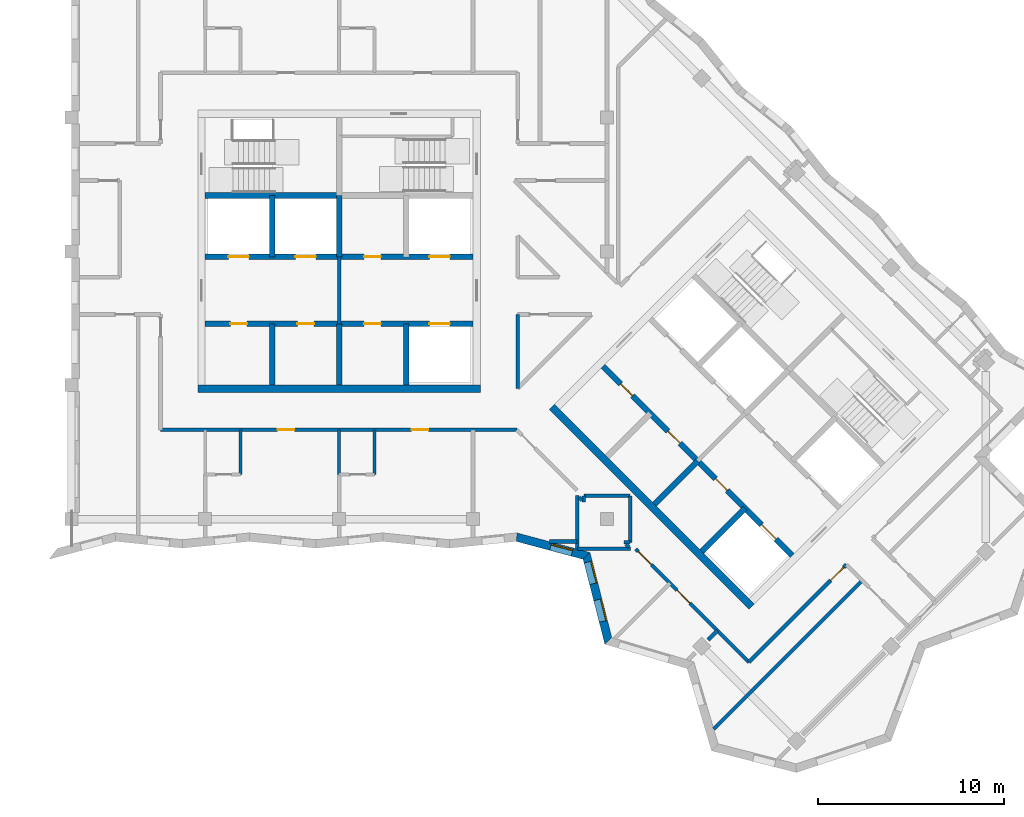
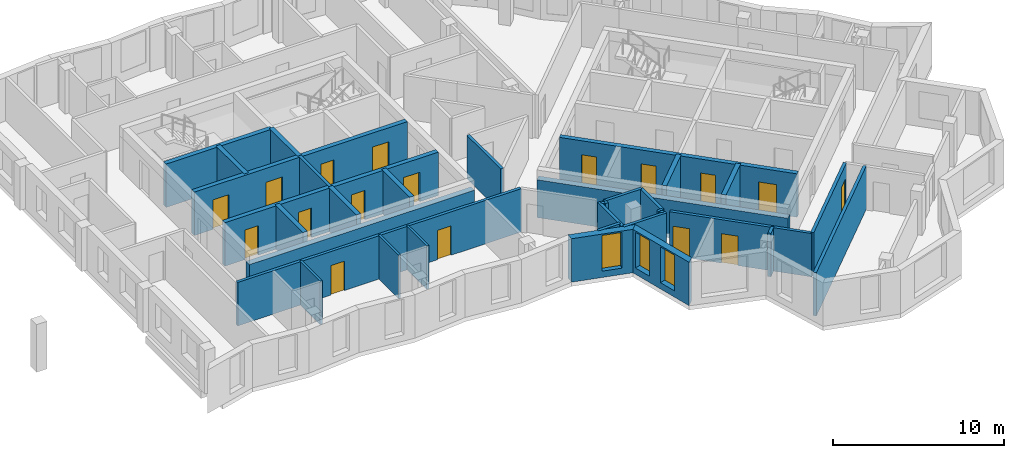
# One storey, part 3 of 12: 34 walls, 17 doors, 3 windows, 20 openings.
"""IFC4 building model written with IfcOpenShell, lengths in metres."""

from ifc_helpers import new_model, si_unit, direction, frame, frame_2d, origin, place, context, subcontext, project, spatial, polyline, rectangle, outline, extrude, material, layer, layer_set, type_object, element, fill, save


model = new_model("IFC4")

# Units and contexts
model_context = context("Model", 3, precision=1e-05, world=origin(), true_north=direction((0.0, 1.0)))
body_context = subcontext(model_context, "Body", "Model", "MODEL_VIEW")
ifc_project = project(units=[si_unit("LENGTHUNIT", "METRE"), si_unit("AREAUNIT", "SQUARE_METRE"), si_unit("VOLUMEUNIT", "CUBIC_METRE"), si_unit("PLANEANGLEUNIT", "RADIAN"), si_unit("MASSUNIT", "GRAM", prefix="KILO")], contexts=[model_context])

# Site, building, storey
site_placement = place(None, origin())
site = spatial("IfcSite", under=ifc_project, at=site_placement, CompositionType="ELEMENT")
building_placement = place(site_placement, origin())
building = spatial("IfcBuilding", under=site, at=building_placement, Name="Windrow Commons", CompositionType="ELEMENT")
storey_placement = place(building_placement, frame((0.0, 0.0, 250.6)))
storey = spatial("IfcBuildingStorey", under=building, at=storey_placement, Name="L68", CompositionType="ELEMENT", Elevation=250.6)

# Wall, opening, window
ifc_material_1 = material(Name="Brick masonry, red clay brick", Category="masonry")
ifc_layer_1 = layer(ifc_material_1, 0.45)
ifc_layer_set_1 = layer_set([ifc_layer_1], Name="Brick facade wall 450")
wall_type_1 = type_object("IfcWallType", Name="Brick facade wall 450", PredefinedType="SOLIDWALL", material=ifc_layer_set_1)
wall_1_placement = place(storey_placement, frame((74.3457, 42.228, 0.0), z_axis=(0.0, 0.0, 1.0), x_axis=(0.9659805223, -0.2586148306, 0.0)))
wall_1 = element("IfcWall", 1, at=wall_1_placement, inside=storey, type_object=wall_type_1, Name="Brick facade wall L68 45", PredefinedType="SOLIDWALL", context=body_context, shape_type="SweptSolid", body=[
    extrude(outline(polyline([(0.0412, -0.225), (3.7572, -0.225), (4.0204, 0.225), (-0.0412, 0.225), (0.0412, -0.225)])), origin(), (0.0, 0.0, 1.0), 3.1),
])
opening_1_placement = place(wall_1_placement, frame((1.8936, 0.0, 0.45)))
opening_1 = element("IfcOpeningElement", 2, at=opening_1_placement, cuts=wall_1, Name="Opening W7F", PredefinedType="OPENING", context=body_context, shape_type="SweptSolid", body=[
    extrude(rectangle(XDim=1.2, YDim=2.55, at=frame_2d((0.6, 1.275))), frame((0.0, 0.235, 0.0), z_axis=(0.0, -1.0, 0.0), x_axis=(1.0, 0.0, 0.0)), (0.0, 0.0, 1.0), 0.47),
])
ifc_material_2 = material(Name="Clear float glass in anodised aluminium frame", Category="aluminium")
window_type = type_object("IfcWindowType", Name="Window W7 notch 1200x2550", PartitioningType="SINGLE_PANEL", PredefinedType="WINDOW", material=ifc_material_2)
window_1_placement = place(opening_1_placement, origin())
window_1 = element("IfcWindow", 3, at=window_1_placement, inside=storey, type_object=window_type, Name="Window L68 45.1", OverallHeight=2.55, OverallWidth=1.2, PartitioningType="SINGLE_PANEL", PredefinedType="WINDOW", context=body_context, shape_type="SweptSolid", body=[
    extrude(rectangle(XDim=1.2, YDim=2.55, at=frame_2d((0.6, 1.275))), frame((0.0, 0.135, 0.0), z_axis=(0.0, -1.0, 0.0), x_axis=(1.0, 0.0, 0.0)), (0.0, 0.0, 1.0), 0.06),
])
fill(opening_1, window_1)

# Wall, openings, windows
wall_2_placement = place(storey_placement, frame((78.1022, 41.2223, 0.0), z_axis=(0.0, 0.0, 1.0), x_axis=(0.2482207273, -0.9687034998, 0.0)))
wall_2 = element("IfcWall", 4, at=wall_2_placement, inside=storey, type_object=wall_type_1, Name="Brick facade wall L68 46", PredefinedType="SOLIDWALL", context=body_context, shape_type="SweptSolid", body=[
    extrude(outline(polyline([(0.1316, -0.225), (4.8424, -0.225), (4.5872, 0.225), (-0.1316, 0.225), (0.1316, -0.225)])), origin(), (0.0, 0.0, 1.0), 3.1),
])
opening_2_placement = place(wall_2_placement, frame((0.3374, 0.0, 0.45)))
opening_2 = element("IfcOpeningElement", 5, at=opening_2_placement, cuts=wall_2, Name="Opening W7F", PredefinedType="OPENING", context=body_context, shape_type="SweptSolid", body=[
    extrude(rectangle(XDim=1.2, YDim=2.55, at=frame_2d((0.6, 1.275))), frame((0.0, 0.235, 0.0), z_axis=(0.0, -1.0, 0.0), x_axis=(1.0, 0.0, 0.0)), (0.0, 0.0, 1.0), 0.47),
])
opening_3_placement = place(wall_2_placement, frame((2.431, 0.0, 0.45)))
opening_3 = element("IfcOpeningElement", 6, at=opening_3_placement, cuts=wall_2, Name="Opening W7F", PredefinedType="OPENING", context=body_context, shape_type="SweptSolid", body=[
    extrude(rectangle(XDim=1.2, YDim=2.55, at=frame_2d((0.6, 1.275))), frame((0.0, 0.235, 0.0), z_axis=(0.0, -1.0, 0.0), x_axis=(1.0, 0.0, 0.0)), (0.0, 0.0, 1.0), 0.47),
])
window_2_placement = place(opening_2_placement, origin())
window_2 = element("IfcWindow", 7, at=window_2_placement, inside=storey, type_object=window_type, Name="Window L68 46.1", OverallHeight=2.55, OverallWidth=1.2, PartitioningType="SINGLE_PANEL", PredefinedType="WINDOW", context=body_context, shape_type="SweptSolid", body=[
    extrude(rectangle(XDim=1.2, YDim=2.55, at=frame_2d((0.6, 1.275))), frame((0.0, 0.205, 0.0), z_axis=(0.0, -1.0, 0.0), x_axis=(1.0, 0.0, 0.0)), (0.0, 0.0, 1.0), 0.06),
])
fill(opening_2, window_2)
window_3_placement = place(opening_3_placement, origin())
window_3 = element("IfcWindow", 8, at=window_3_placement, inside=storey, type_object=window_type, Name="Window L68 46.2", OverallHeight=2.55, OverallWidth=1.2, PartitioningType="SINGLE_PANEL", PredefinedType="WINDOW", context=body_context, shape_type="SweptSolid", body=[
    extrude(rectangle(XDim=1.2, YDim=2.55, at=frame_2d((0.6, 1.275))), frame((0.0, 0.205, 0.0), z_axis=(0.0, -1.0, 0.0), x_axis=(1.0, 0.0, 0.0)), (0.0, 0.0, 1.0), 0.06),
])
fill(opening_3, window_3)

# Wall
ifc_material_3 = material(Name="Blockwork partition", Category="masonry")
ifc_layer_2 = layer(ifc_material_3, 0.2)
ifc_layer_set_2 = layer_set([ifc_layer_2], Name="Fire lobby partition 200")
wall_type_2 = type_object("IfcWallType", Name="Fire lobby partition 200", PredefinedType="PARTITIONING", material=ifc_layer_set_2)
wall_3_placement = place(storey_placement, frame((64.8, 53.7, 0.0), z_axis=(0.0, 0.0, 1.0), x_axis=(0.0, 1.0, 0.0)))
element("IfcWall", 9, at=wall_3_placement, inside=storey, type_object=wall_type_2, Name="W-core-lobby-A-L68", PredefinedType="PARTITIONING", context=body_context, shape_type="SweptSolid", body=[
    extrude(rectangle(XDim=3.6, YDim=0.2, at=frame_2d((1.8, 0.0))), origin(), (0.0, 0.0, 1.0), 3.1),
])

# Wall, openings, doors
ifc_material_4 = material(Name="Blockwork partition", Category="masonry")
ifc_layer_3 = layer(ifc_material_4, 0.2)
ifc_layer_set_3 = layer_set([ifc_layer_3], Name="IW-CORRIDOR-200")
wall_type_3 = type_object("IfcWallType", Name="IW-CORRIDOR-200", PredefinedType="PARTITIONING", material=ifc_layer_set_3)
wall_4_placement = place(storey_placement, frame((55.2, 48.0, 0.0), z_axis=(0.0, 0.0, 1.0), x_axis=(1.0, 0.0, 0.0)))
wall_4 = element("IfcWall", 10, at=wall_4_placement, inside=storey, type_object=wall_type_3, Name="W-L68-W001", PredefinedType="PARTITIONING", context=body_context, shape_type="SweptSolid", body=[
    extrude(rectangle(XDim=19.15, YDim=0.2, at=frame_2d((9.575, 0.0))), origin(), (0.0, 0.0, 1.0), 3.1),
])
opening_4_placement = place(wall_4_placement, frame((6.2994, 0.0, 0.0)))
opening_4 = element("IfcOpeningElement", 11, at=opening_4_placement, cuts=wall_4, Name="Opening D109F", PredefinedType="OPENING", context=body_context, shape_type="SweptSolid", body=[
    extrude(rectangle(XDim=0.9, YDim=2.1, at=frame_2d((0.45, 1.05))), frame((0.0, 0.11, 0.0), z_axis=(0.0, -1.0, 0.0), x_axis=(1.0, 0.0, 0.0)), (0.0, 0.0, 1.0), 0.22),
])
opening_5_placement = place(wall_4_placement, frame((13.4994, 0.0, 0.0)))
opening_5 = element("IfcOpeningElement", 12, at=opening_5_placement, cuts=wall_4, Name="Opening D109F", PredefinedType="OPENING", context=body_context, shape_type="SweptSolid", body=[
    extrude(rectangle(XDim=0.9, YDim=2.1, at=frame_2d((0.45, 1.05))), frame((0.0, 0.11, 0.0), z_axis=(0.0, -1.0, 0.0), x_axis=(1.0, 0.0, 0.0)), (0.0, 0.0, 1.0), 0.22),
])
ifc_material_5 = material(Name="Timber door leaf", Category="wood")
door_type_1 = type_object("IfcDoorType", Name="DT-BEDROOM-900", OperationType="SINGLE_SWING_LEFT", PredefinedType="DOOR", material=ifc_material_5)
door_1_placement = place(opening_4_placement, origin())
door_1 = element("IfcDoor", 13, at=door_1_placement, inside=storey, type_object=door_type_1, Name="D-L68-D002", OperationType="SINGLE_SWING_LEFT", OverallHeight=2.1, OverallWidth=0.9, PredefinedType="DOOR", context=body_context, shape_type="SweptSolid", body=[
    extrude(rectangle(XDim=0.9, YDim=2.1, at=frame_2d((0.45, 1.05))), frame((0.0, 0.025, 0.0), z_axis=(0.0, -1.0, 0.0), x_axis=(1.0, 0.0, 0.0)), (0.0, 0.0, 1.0), 0.05),
])
fill(opening_4, door_1)
door_2_placement = place(opening_5_placement, origin())
door_2 = element("IfcDoor", 14, at=door_2_placement, inside=storey, type_object=door_type_1, Name="D-L68-D004", OperationType="SINGLE_SWING_LEFT", OverallHeight=2.1, OverallWidth=0.9, PredefinedType="DOOR", context=body_context, shape_type="SweptSolid", body=[
    extrude(rectangle(XDim=0.9, YDim=2.1, at=frame_2d((0.45, 1.05))), frame((0.0, 0.025, 0.0), z_axis=(0.0, -1.0, 0.0), x_axis=(1.0, 0.0, 0.0)), (0.0, 0.0, 1.0), 0.05),
])
fill(opening_5, door_2)

wall_5_placement = place(storey_placement, frame((80.7468, 41.5968, 0.0), z_axis=(0.0, 0.0, 1.0), x_axis=(0.7071067812, -0.7071067812, 0.0)))
wall_5 = element("IfcWall", 15, at=wall_5_placement, inside=storey, type_object=wall_type_3, Name="W-L68-W009", PredefinedType="PARTITIONING", context=body_context, shape_type="SweptSolid", body=[
    extrude(rectangle(XDim=8.6069, YDim=0.2, at=frame_2d((4.3034, 0.0))), origin(), (0.0, 0.0, 1.0), 3.1),
])
opening_6_placement = place(wall_5_placement, frame((0.1948, 0.0, 0.0)))
opening_6 = element("IfcOpeningElement", 16, at=opening_6_placement, cuts=wall_5, Name="Opening D310F", PredefinedType="OPENING", context=body_context, shape_type="SweptSolid", body=[
    extrude(rectangle(XDim=1.0, YDim=2.1, at=frame_2d((0.5, 1.05))), frame((0.0, 0.11, 0.0), z_axis=(0.0, -1.0, 0.0), x_axis=(1.0, 0.0, 0.0)), (0.0, 0.0, 1.0), 0.22),
])
opening_7_placement = place(wall_5_placement, frame((3.1329, 0.0, 0.0)))
opening_7 = element("IfcOpeningElement", 17, at=opening_7_placement, cuts=wall_5, Name="Opening D410F", PredefinedType="OPENING", context=body_context, shape_type="SweptSolid", body=[
    extrude(rectangle(XDim=1.0, YDim=2.1, at=frame_2d((0.5, 1.05))), frame((0.0, 0.11, 0.0), z_axis=(0.0, -1.0, 0.0), x_axis=(1.0, 0.0, 0.0)), (0.0, 0.0, 1.0), 0.22),
])
ifc_material_6 = material(Name="Timber door leaf", Category="wood")
door_type_2 = type_object("IfcDoorType", Name="DT-AMENITY-1000", OperationType="SINGLE_SWING_LEFT", PredefinedType="DOOR", material=ifc_material_6)
door_3_placement = place(opening_6_placement, origin())
door_3 = element("IfcDoor", 18, at=door_3_placement, inside=storey, type_object=door_type_2, Name="D-L68-D022", OperationType="SINGLE_SWING_LEFT", OverallHeight=2.1, OverallWidth=1.0, PredefinedType="DOOR", context=body_context, shape_type="SweptSolid", body=[
    extrude(rectangle(XDim=1.0, YDim=2.1, at=frame_2d((0.5, 1.05))), frame((0.0, 0.025, 0.0), z_axis=(0.0, -1.0, 0.0), x_axis=(1.0, 0.0, 0.0)), (0.0, 0.0, 1.0), 0.05),
])
fill(opening_6, door_3)
ifc_material_7 = material(Name="Timber door leaf", Category="wood")
door_type_3 = type_object("IfcDoorType", Name="DT-SERVICE-1000", OperationType="SINGLE_SWING_LEFT", PredefinedType="DOOR", material=ifc_material_7)
door_4_placement = place(opening_7_placement, origin())
door_4 = element("IfcDoor", 19, at=door_4_placement, inside=storey, type_object=door_type_3, Name="D-L68-D023", OperationType="SINGLE_SWING_LEFT", OverallHeight=2.1, OverallWidth=1.0, PredefinedType="DOOR", context=body_context, shape_type="SweptSolid", body=[
    extrude(rectangle(XDim=1.0, YDim=2.1, at=frame_2d((0.5, 1.05))), frame((0.0, 0.025, 0.0), z_axis=(0.0, -1.0, 0.0), x_axis=(1.0, 0.0, 0.0)), (0.0, 0.0, 1.0), 0.05),
])
fill(opening_7, door_4)

# Wall, opening, door
wall_6_placement = place(storey_placement, frame((86.8359, 35.5141, 0.0), z_axis=(0.0, 0.0, 1.0), x_axis=(0.7071067812, 0.7071067812, 0.0)))
wall_6 = element("IfcWall", 20, at=wall_6_placement, inside=storey, type_object=wall_type_3, Name="W-L68-W010", PredefinedType="PARTITIONING", context=body_context, shape_type="SweptSolid", body=[
    extrude(rectangle(XDim=7.3992, YDim=0.2, at=frame_2d((3.6996, 0.0))), origin(), (0.0, 0.0, 1.0), 3.1),
])
opening_8_placement = place(wall_6_placement, frame((6.2065, 0.0, 0.0)))
opening_8 = element("IfcOpeningElement", 21, at=opening_8_placement, cuts=wall_6, Name="Opening D310F", PredefinedType="OPENING", context=body_context, shape_type="SweptSolid", body=[
    extrude(rectangle(XDim=1.0, YDim=2.1, at=frame_2d((0.5, 1.05))), frame((0.0, 0.11, 0.0), z_axis=(0.0, -1.0, 0.0), x_axis=(1.0, 0.0, 0.0)), (0.0, 0.0, 1.0), 0.22),
])
door_5_placement = place(opening_8_placement, origin())
door_5 = element("IfcDoor", 22, at=door_5_placement, inside=storey, type_object=door_type_2, Name="D-L68-D024", OperationType="SINGLE_SWING_RIGHT", OverallHeight=2.1, OverallWidth=1.0, PredefinedType="DOOR", context=body_context, shape_type="SweptSolid", body=[
    extrude(rectangle(XDim=1.0, YDim=2.1, at=frame_2d((0.5, 1.05))), frame((0.0, 0.025, 0.0), z_axis=(0.0, -1.0, 0.0), x_axis=(1.0, 0.0, 0.0)), (0.0, 0.0, 1.0), 0.05),
])
fill(opening_8, door_5)

# Walls
wall_7_placement = place(storey_placement, frame((74.4, 50.232, 0.0), z_axis=(0.0, 0.0, 1.0), x_axis=(0.0, 1.0, 0.0)))
element("IfcWall", 23, at=wall_7_placement, inside=storey, type_object=wall_type_3, Name="W-L68-W031", PredefinedType="PARTITIONING", context=body_context, shape_type="SweptSolid", body=[
    extrude(rectangle(XDim=3.968, YDim=0.2, at=frame_2d((1.984, 0.0))), origin(), (0.0, 0.0, 1.0), 3.1),
])
for number, where, z_axis, x_axis, name in (
    (24, (80.45, 41.952, 0.0), (0.0, 0.0, 1.0), (0.0, 1.0, 0.0), "W-L68-W043"),
    (25, (77.952, 44.45, 0.0), (0.0, 0.0, 1.0), (1.0, 0.0, 0.0), "W-L68-W044"),
):
    element("IfcWall", number, at=place(storey_placement, frame(where, z_axis=z_axis, x_axis=x_axis)), inside=storey, type_object=wall_type_3, Name=name, PredefinedType="PARTITIONING", context=body_context, shape_type="SweptSolid", body=[
        extrude(rectangle(XDim=2.498, YDim=0.2, at=frame_2d((1.249, 0.0))), origin(), (0.0, 0.0, 1.0), 3.1),
    ])
for number, where, z_axis, x_axis, name in (
    (26, (80.2205, 41.8545, 0.0), (0.0, 0.0, 1.0), (0.7068844555, -0.707329037, 0.0), "W-L68-W097"),
    (27, (77.6954, 44.3795, 0.0), (0.0, 0.0, 1.0), (0.707329037, -0.7068844555, 0.0), "W-L68-W098"),
):
    element("IfcWall", number, at=place(storey_placement, frame(where, z_axis=z_axis, x_axis=x_axis)), inside=storey, type_object=wall_type_3, Name=name, PredefinedType="PARTITIONING", context=body_context, shape_type="SweptSolid", body=[
        extrude(rectangle(XDim=0.2249, YDim=0.2, at=frame_2d((0.1124, 0.0))), origin(), (0.0, 0.0, 1.0), 3.1),
    ])
for number, where, z_axis, x_axis, name in (
    (28, (80.118, 41.95, 0.0), (0.0, 0.0, 1.0), (1.0, 0.0, 0.0), "W-L68-W110"),
    (29, (77.95, 44.118, 0.0), (0.0, 0.0, 1.0), (0.0, 1.0, 0.0), "W-L68-W111"),
):
    element("IfcWall", number, at=place(storey_placement, frame(where, z_axis=z_axis, x_axis=x_axis)), inside=storey, type_object=wall_type_3, Name=name, PredefinedType="PARTITIONING", context=body_context, shape_type="SweptSolid", body=[
        extrude(rectangle(XDim=0.332, YDim=0.2, at=frame_2d((0.166, 0.0))), origin(), (0.0, 0.0, 1.0), 3.1),
    ])
ifc_material_8 = material(Name="Blockwork partition", Category="masonry")
ifc_layer_4 = layer(ifc_material_8, 0.15)
ifc_layer_set_4 = layer_set([ifc_layer_4], Name="IW-ENSUITE-150")
wall_type_4 = type_object("IfcWallType", Name="IW-ENSUITE-150", PredefinedType="PARTITIONING", material=ifc_layer_set_4)
for number, where, z_axis, x_axis, name in (
    (30, (59.5, 45.6, 0.0), (0.0, 0.0, 1.0), (0.0, 1.0, 0.0), "W-L68-W045"),
    (31, (66.7, 45.6, 0.0), (0.0, 0.0, 1.0), (0.0, 1.0, 0.0), "W-L68-W047"),
    (32, (64.8, 45.6, 0.0), (0.0, 0.0, 1.0), (0.0, 1.0, 0.0), "W-L68-W048"),
):
    element("IfcWall", number, at=place(storey_placement, frame(where, z_axis=z_axis, x_axis=x_axis)), inside=storey, type_object=wall_type_4, Name=name, PredefinedType="PARTITIONING", context=body_context, shape_type="SweptSolid", body=[
        extrude(rectangle(XDim=2.4, YDim=0.15, at=frame_2d((1.2, 0.0))), origin(), (0.0, 0.0, 1.0), 3.1),
    ])
ifc_material_9 = material(Name="Blockwork partition", Category="masonry")
ifc_layer_5 = layer(ifc_material_9, 0.2)
ifc_layer_set_5 = layer_set([ifc_layer_5], Name="IW-PARTY-200")
wall_type_5 = type_object("IfcWallType", Name="IW-PARTY-200", PredefinedType="PARTITIONING", material=ifc_layer_set_5)
wall_8_placement = place(storey_placement, frame((84.9392, 31.9204, 0.0), z_axis=(0.0, 0.0, 1.0), x_axis=(0.7071067812, 0.7071067812, 0.0)))
element("IfcWall", 33, at=wall_8_placement, inside=storey, type_object=wall_type_5, Name="W-L68-W004", PredefinedType="PARTITIONING", context=body_context, shape_type="SweptSolid", body=[
    extrude(rectangle(XDim=11.2829, YDim=0.2, at=frame_2d((5.6414, 0.0))), origin(), (0.0, 0.0, 1.0), 3.1),
])
wall_9_placement = place(storey_placement, frame((77.6115, 41.6, 0.0), z_axis=(0.0, 0.0, 1.0), x_axis=(1.0, 0.0, 0.0)))
element("IfcWall", 34, at=wall_9_placement, inside=storey, type_object=wall_type_5, Name="W-L68-W040", PredefinedType="PARTITIONING", context=body_context, shape_type="SweptSolid", body=[
    extrude(rectangle(XDim=2.8565, YDim=0.2, at=frame_2d((1.4283, 0.0))), origin(), (0.0, 0.0, 1.0), 3.1),
])
wall_10_placement = place(storey_placement, frame((77.6, 41.5897, 0.0), z_axis=(0.0, 0.0, 1.0), x_axis=(0.0, 1.0, 0.0)))
element("IfcWall", 35, at=wall_10_placement, inside=storey, type_object=wall_type_5, Name="W-L68-W041", PredefinedType="PARTITIONING", context=body_context, shape_type="SweptSolid", body=[
    extrude(rectangle(XDim=2.8783, YDim=0.2, at=frame_2d((1.4391, 0.0))), origin(), (0.0, 0.0, 1.0), 3.1),
])
wall_11_placement = place(storey_placement, frame((76.1174, 42.0, 0.0), z_axis=(0.0, 0.0, 1.0), x_axis=(1.0, 0.0, 0.0)))
element("IfcWall", 36, at=wall_11_placement, inside=storey, type_object=wall_type_5, Name="W-L68-W079", PredefinedType="PARTITIONING", context=body_context, shape_type="SweptSolid", body=[
    extrude(rectangle(XDim=1.4826, YDim=0.2, at=frame_2d((0.7413, 0.0))), origin(), (0.0, 0.0, 1.0), 3.1),
])
wall_12_placement = place(storey_placement, frame((84.6408, 36.7132, 0.0), z_axis=(0.0, 0.0, 1.0), x_axis=(0.7071067812, 0.7071067812, 0.0)))
element("IfcWall", 37, at=wall_12_placement, inside=storey, type_object=wall_type_5, Name="W-L68-W088", PredefinedType="PARTITIONING", context=body_context, shape_type="SweptSolid", body=[
    extrude(rectangle(XDim=0.7043, YDim=0.2, at=frame_2d((0.3522, 0.0))), origin(), (0.0, 0.0, 1.0), 3.1),
])
ifc_material_10 = material(Name="Concrete C40/50", Category="concrete")
ifc_layer_6 = layer(ifc_material_10, 0.4)
ifc_layer_set_6 = layer_set([ifc_layer_6], Name="RC CORE WALL 400 C40/50")
wall_type_6 = type_object("IfcWallType", Name="RC CORE WALL 400 C40/50", PredefinedType="SHEAR", material=ifc_layer_set_6)
for number, where, z_axis, x_axis, name in (
    (38, (57.2, 50.2, -0.3), (0.0, 0.0, 1.0), (1.0, 0.0, 0.0), "Core A wall outer-S"),
    (39, (76.2302, 49.2312, -0.3), (0.0, 0.0, 1.0), (0.7071034917, -0.7071100706, 0.0), "Core B wall outer-S"),
):
    element("IfcWall", number, at=place(storey_placement, frame(where, z_axis=z_axis, x_axis=x_axis)), inside=storey, type_object=wall_type_6, Name=name, PredefinedType="SHEAR", context=body_context, shape_type="SweptSolid", body=[
        extrude(rectangle(XDim=15.2, YDim=0.4, at=frame_2d((7.6, 0.0))), origin(), (0.0, 0.0, 1.0), 2.7),
    ])
ifc_material_11 = material(Name="Concrete C40/50", Category="concrete")
ifc_layer_7 = layer(ifc_material_11, 0.3)
ifc_layer_set_7 = layer_set([ifc_layer_7], Name="RC SHAFT WALL 300 C40/50")
wall_type_7 = type_object("IfcWallType", Name="RC SHAFT WALL 300 C40/50", PredefinedType="SOLIDWALL", material=ifc_layer_set_7)
for number, where, z_axis, x_axis, name in (
    (40, (61.2, 50.4, 0.0), (0.0, 0.0, 1.0), (0.0, 1.0, 0.0), "Core A wall shaft-S1"),
    (41, (61.2, 57.3, 0.0), (0.0, 0.0, 1.0), (0.0, 1.0, 0.0), "Core A wall shaft-N1"),
    (42, (64.8, 50.4, 0.0), (0.0, 0.0, 1.0), (0.0, 1.0, 0.0), "Core A wall shaft-S2"),
    (43, (64.8, 57.3, 0.0), (0.0, 0.0, 1.0), (0.0, 1.0, 0.0), "Core A wall shaft-N2"),
    (44, (68.4, 50.4, 0.0), (0.0, 0.0, 1.0), (0.0, 1.0, 0.0), "Core A wall shaft-S3"),
):
    element("IfcWall", number, at=place(storey_placement, frame(where, z_axis=z_axis, x_axis=x_axis)), inside=storey, type_object=wall_type_7, Name=name, PredefinedType="SOLIDWALL", context=body_context, shape_type="SweptSolid", body=[
        extrude(rectangle(XDim=3.3, YDim=0.3, at=frame_2d((1.65, 0.0))), origin(), (0.0, 0.0, 1.0), 3.1),
    ])

# Wall, openings, doors
wall_13_placement = place(storey_placement, frame((57.6, 53.7, 0.0), z_axis=(0.0, 0.0, 1.0), x_axis=(1.0, 0.0, 0.0)))
wall_13 = element("IfcWall", 45, at=wall_13_placement, inside=storey, type_object=wall_type_7, Name="Core A wall lobby-S", PredefinedType="SOLIDWALL", context=body_context, shape_type="SweptSolid", body=[
    extrude(rectangle(XDim=14.4, YDim=0.3, at=frame_2d((7.2, 0.0))), origin(), (0.0, 0.0, 1.0), 3.1),
])
opening_9_placement = place(wall_13_placement, frame((1.35, 0.0, 0.0)))
opening_9 = element("IfcOpeningElement", 46, at=opening_9_placement, cuts=wall_13, Name="Opening D8", PredefinedType="OPENING", context=body_context, shape_type="SweptSolid", body=[
    extrude(rectangle(XDim=0.9, YDim=2.1, at=frame_2d((0.45, 1.05))), frame((0.0, 0.16, 0.0), z_axis=(0.0, -1.0, 0.0), x_axis=(1.0, 0.0, 0.0)), (0.0, 0.0, 1.0), 0.32),
])
opening_10_placement = place(wall_13_placement, frame((4.95, 0.0, 0.0)))
opening_10 = element("IfcOpeningElement", 47, at=opening_10_placement, cuts=wall_13, Name="Opening D8", PredefinedType="OPENING", context=body_context, shape_type="SweptSolid", body=[
    extrude(rectangle(XDim=0.9, YDim=2.1, at=frame_2d((0.45, 1.05))), frame((0.0, 0.16, 0.0), z_axis=(0.0, -1.0, 0.0), x_axis=(1.0, 0.0, 0.0)), (0.0, 0.0, 1.0), 0.32),
])
opening_11_placement = place(wall_13_placement, frame((8.55, 0.0, 0.0)))
opening_11 = element("IfcOpeningElement", 48, at=opening_11_placement, cuts=wall_13, Name="Opening D8", PredefinedType="OPENING", context=body_context, shape_type="SweptSolid", body=[
    extrude(rectangle(XDim=0.9, YDim=2.1, at=frame_2d((0.45, 1.05))), frame((0.0, 0.16, 0.0), z_axis=(0.0, -1.0, 0.0), x_axis=(1.0, 0.0, 0.0)), (0.0, 0.0, 1.0), 0.32),
])
opening_12_placement = place(wall_13_placement, frame((12.05, 0.0, 0.0)))
opening_12 = element("IfcOpeningElement", 49, at=opening_12_placement, cuts=wall_13, Name="Opening LD", PredefinedType="OPENING", context=body_context, shape_type="SweptSolid", body=[
    extrude(rectangle(XDim=1.1, YDim=2.1, at=frame_2d((0.55, 1.05))), frame((0.0, 0.16, 0.0), z_axis=(0.0, -1.0, 0.0), x_axis=(1.0, 0.0, 0.0)), (0.0, 0.0, 1.0), 0.32),
])
ifc_material_12 = material(Name="Steel fire door leaf", Category="steel")
door_type_4 = type_object("IfcDoorType", Name="Core store door 900", OperationType="SINGLE_SWING_LEFT", PredefinedType="DOOR", material=ifc_material_12)
door_6_placement = place(opening_9_placement, origin())
door_6 = element("IfcDoor", 50, at=door_6_placement, inside=storey, type_object=door_type_4, Name="Store door", OperationType="SINGLE_SWING_LEFT", OverallHeight=2.1, OverallWidth=0.9, PredefinedType="DOOR", context=body_context, shape_type="SweptSolid", body=[
    extrude(rectangle(XDim=0.9, YDim=2.1, at=frame_2d((0.45, 1.05))), frame((0.0, 0.025, 0.0), z_axis=(0.0, -1.0, 0.0), x_axis=(1.0, 0.0, 0.0)), (0.0, 0.0, 1.0), 0.05),
])
fill(opening_9, door_6)
door_7_placement = place(opening_10_placement, origin())
door_7 = element("IfcDoor", 51, at=door_7_placement, inside=storey, type_object=door_type_4, Name="Store door", OperationType="SINGLE_SWING_LEFT", OverallHeight=2.1, OverallWidth=0.9, PredefinedType="DOOR", context=body_context, shape_type="SweptSolid", body=[
    extrude(rectangle(XDim=0.9, YDim=2.1, at=frame_2d((0.45, 1.05))), frame((0.0, 0.025, 0.0), z_axis=(0.0, -1.0, 0.0), x_axis=(1.0, 0.0, 0.0)), (0.0, 0.0, 1.0), 0.05),
])
fill(opening_10, door_7)
door_8_placement = place(opening_11_placement, origin())
door_8 = element("IfcDoor", 52, at=door_8_placement, inside=storey, type_object=door_type_4, Name="Store door", OperationType="SINGLE_SWING_LEFT", OverallHeight=2.1, OverallWidth=0.9, PredefinedType="DOOR", context=body_context, shape_type="SweptSolid", body=[
    extrude(rectangle(XDim=0.9, YDim=2.1, at=frame_2d((0.45, 1.05))), frame((0.0, 0.025, 0.0), z_axis=(0.0, -1.0, 0.0), x_axis=(1.0, 0.0, 0.0)), (0.0, 0.0, 1.0), 0.05),
])
fill(opening_11, door_8)
ifc_material_13 = material(Name="Stainless steel door leaf", Category="steel")
door_type_5 = type_object("IfcDoorType", Name="Lift landing door 1100", OperationType="SLIDING_TO_LEFT", PredefinedType="DOOR", material=ifc_material_13)
door_9_placement = place(opening_12_placement, origin())
door_9 = element("IfcDoor", 53, at=door_9_placement, inside=storey, type_object=door_type_5, Name="Lift landing door", OperationType="SLIDING_TO_RIGHT", OverallHeight=2.1, OverallWidth=1.1, PredefinedType="DOOR", context=body_context, shape_type="SweptSolid", body=[
    extrude(rectangle(XDim=1.1, YDim=2.1, at=frame_2d((0.55, 1.05))), frame((0.0, 0.025, 0.0), z_axis=(0.0, -1.0, 0.0), x_axis=(1.0, 0.0, 0.0)), (0.0, 0.0, 1.0), 0.05),
])
fill(opening_12, door_9)

wall_14_placement = place(storey_placement, frame((57.6, 57.3, 0.0), z_axis=(0.0, 0.0, 1.0), x_axis=(1.0, 0.0, 0.0)))
wall_14 = element("IfcWall", 54, at=wall_14_placement, inside=storey, type_object=wall_type_7, Name="Core A wall lobby-N", PredefinedType="SOLIDWALL", context=body_context, shape_type="SweptSolid", body=[
    extrude(rectangle(XDim=14.4, YDim=0.3, at=frame_2d((7.2, 0.0))), origin(), (0.0, 0.0, 1.0), 3.1),
])
opening_13_placement = place(wall_14_placement, frame((8.55, 0.0, 0.0)))
opening_13 = element("IfcOpeningElement", 55, at=opening_13_placement, cuts=wall_14, Name="Opening D8", PredefinedType="OPENING", context=body_context, shape_type="SweptSolid", body=[
    extrude(rectangle(XDim=0.9, YDim=2.1, at=frame_2d((0.45, 1.05))), frame((0.0, 0.16, 0.0), z_axis=(0.0, -1.0, 0.0), x_axis=(1.0, 0.0, 0.0)), (0.0, 0.0, 1.0), 0.32),
])
opening_14_placement = place(wall_14_placement, frame((1.25, 0.0, 0.0)))
opening_14 = element("IfcOpeningElement", 56, at=opening_14_placement, cuts=wall_14, Name="Opening LD", PredefinedType="OPENING", context=body_context, shape_type="SweptSolid", body=[
    extrude(rectangle(XDim=1.1, YDim=2.1, at=frame_2d((0.55, 1.05))), frame((0.0, 0.16, 0.0), z_axis=(0.0, -1.0, 0.0), x_axis=(1.0, 0.0, 0.0)), (0.0, 0.0, 1.0), 0.32),
])
opening_15_placement = place(wall_14_placement, frame((4.85, 0.0, 0.0)))
opening_15 = element("IfcOpeningElement", 57, at=opening_15_placement, cuts=wall_14, Name="Opening LD", PredefinedType="OPENING", context=body_context, shape_type="SweptSolid", body=[
    extrude(rectangle(XDim=1.1, YDim=2.1, at=frame_2d((0.55, 1.05))), frame((0.0, 0.16, 0.0), z_axis=(0.0, -1.0, 0.0), x_axis=(1.0, 0.0, 0.0)), (0.0, 0.0, 1.0), 0.32),
])
opening_16_placement = place(wall_14_placement, frame((12.05, 0.0, 0.0)))
opening_16 = element("IfcOpeningElement", 58, at=opening_16_placement, cuts=wall_14, Name="Opening LD", PredefinedType="OPENING", context=body_context, shape_type="SweptSolid", body=[
    extrude(rectangle(XDim=1.1, YDim=2.1, at=frame_2d((0.55, 1.05))), frame((0.0, 0.16, 0.0), z_axis=(0.0, -1.0, 0.0), x_axis=(1.0, 0.0, 0.0)), (0.0, 0.0, 1.0), 0.32),
])
door_10_placement = place(opening_13_placement, origin())
door_10 = element("IfcDoor", 59, at=door_10_placement, inside=storey, type_object=door_type_4, Name="Store door", OperationType="SINGLE_SWING_LEFT", OverallHeight=2.1, OverallWidth=0.9, PredefinedType="DOOR", context=body_context, shape_type="SweptSolid", body=[
    extrude(rectangle(XDim=0.9, YDim=2.1, at=frame_2d((0.45, 1.05))), frame((0.0, 0.025, 0.0), z_axis=(0.0, -1.0, 0.0), x_axis=(1.0, 0.0, 0.0)), (0.0, 0.0, 1.0), 0.05),
])
fill(opening_13, door_10)
door_11_placement = place(opening_14_placement, origin())
door_11 = element("IfcDoor", 60, at=door_11_placement, inside=storey, type_object=door_type_5, Name="Lift landing door", OperationType="SLIDING_TO_LEFT", OverallHeight=2.1, OverallWidth=1.1, PredefinedType="DOOR", context=body_context, shape_type="SweptSolid", body=[
    extrude(rectangle(XDim=1.1, YDim=2.1, at=frame_2d((0.55, 1.05))), frame((0.0, 0.025, 0.0), z_axis=(0.0, -1.0, 0.0), x_axis=(1.0, 0.0, 0.0)), (0.0, 0.0, 1.0), 0.05),
])
fill(opening_14, door_11)
door_12_placement = place(opening_15_placement, origin())
door_12 = element("IfcDoor", 61, at=door_12_placement, inside=storey, type_object=door_type_5, Name="Lift landing door", OperationType="SLIDING_TO_RIGHT", OverallHeight=2.1, OverallWidth=1.1, PredefinedType="DOOR", context=body_context, shape_type="SweptSolid", body=[
    extrude(rectangle(XDim=1.1, YDim=2.1, at=frame_2d((0.55, 1.05))), frame((0.0, 0.025, 0.0), z_axis=(0.0, -1.0, 0.0), x_axis=(1.0, 0.0, 0.0)), (0.0, 0.0, 1.0), 0.05),
])
fill(opening_15, door_12)
door_13_placement = place(opening_16_placement, origin())
door_13 = element("IfcDoor", 62, at=door_13_placement, inside=storey, type_object=door_type_5, Name="Lift landing door", OperationType="SLIDING_TO_RIGHT", OverallHeight=2.1, OverallWidth=1.1, PredefinedType="DOOR", context=body_context, shape_type="SweptSolid", body=[
    extrude(rectangle(XDim=1.1, YDim=2.1, at=frame_2d((0.55, 1.05))), frame((0.0, 0.025, 0.0), z_axis=(0.0, -1.0, 0.0), x_axis=(1.0, 0.0, 0.0)), (0.0, 0.0, 1.0), 0.05),
])
fill(opening_16, door_13)

# Walls
wall_15_placement = place(storey_placement, frame((57.6, 60.6, 0.0), z_axis=(0.0, 0.0, 1.0), x_axis=(1.0, 0.0, 0.0)))
element("IfcWall", 63, at=wall_15_placement, inside=storey, type_object=wall_type_7, Name="Core A wall stair-S", PredefinedType="SOLIDWALL", context=body_context, shape_type="SweptSolid", body=[
    extrude(rectangle(XDim=7.2, YDim=0.3, at=frame_2d((3.6, 0.0))), origin(), (0.0, 0.0, 1.0), 3.1),
])
for number, where, z_axis, x_axis, name in (
    (64, (81.7456, 43.9986, 0.0), (0.0, 0.0, 1.0), (0.7071067812, 0.7071067812, 0.0), "Core B wall shaft-S2"),
    (65, (84.2912, 41.453, 0.0), (0.0, 0.0, 1.0), (0.7071067812, 0.7071067812, 0.0), "Core B wall shaft-S3"),
):
    element("IfcWall", number, at=place(storey_placement, frame(where, z_axis=z_axis, x_axis=x_axis)), inside=storey, type_object=wall_type_7, Name=name, PredefinedType="SOLIDWALL", context=body_context, shape_type="SweptSolid", body=[
        extrude(rectangle(XDim=3.2999, YDim=0.3, at=frame_2d((1.65, 0.0))), origin(), (0.0, 0.0, 1.0), 3.1),
    ])

# Wall, openings, doors
wall_16_placement = place(storey_placement, frame((78.9879, 51.4232, 0.0), z_axis=(0.0, 0.0, 1.0), x_axis=(0.7071067812, -0.7071067812, 0.0)))
wall_16 = element("IfcWall", 66, at=wall_16_placement, inside=storey, type_object=wall_type_7, Name="Core B wall lobby-S", PredefinedType="SOLIDWALL", context=body_context, shape_type="SweptSolid", body=[
    extrude(rectangle(XDim=14.3999, YDim=0.3, at=frame_2d((7.2, 0.0))), origin(), (0.0, 0.0, 1.0), 3.1),
])
opening_17_placement = place(wall_16_placement, frame((1.35, 0.0, 0.0)))
opening_17 = element("IfcOpeningElement", 67, at=opening_17_placement, cuts=wall_16, Name="Opening D8", PredefinedType="OPENING", context=body_context, shape_type="SweptSolid", body=[
    extrude(rectangle(XDim=0.9, YDim=2.1, at=frame_2d((0.45, 1.05))), frame((0.0, 0.16, 0.0), z_axis=(0.0, -1.0, 0.0), x_axis=(1.0, 0.0, 0.0)), (0.0, 0.0, 1.0), 0.32),
])
opening_18_placement = place(wall_16_placement, frame((4.95, 0.0, 0.0)))
opening_18 = element("IfcOpeningElement", 68, at=opening_18_placement, cuts=wall_16, Name="Opening D8", PredefinedType="OPENING", context=body_context, shape_type="SweptSolid", body=[
    extrude(rectangle(XDim=0.9, YDim=2.1, at=frame_2d((0.45, 1.05))), frame((0.0, 0.16, 0.0), z_axis=(0.0, -1.0, 0.0), x_axis=(1.0, 0.0, 0.0)), (0.0, 0.0, 1.0), 0.32),
])
opening_19_placement = place(wall_16_placement, frame((8.55, 0.0, 0.0)))
opening_19 = element("IfcOpeningElement", 69, at=opening_19_placement, cuts=wall_16, Name="Opening D8", PredefinedType="OPENING", context=body_context, shape_type="SweptSolid", body=[
    extrude(rectangle(XDim=0.9, YDim=2.1, at=frame_2d((0.45, 1.05))), frame((0.0, 0.16, 0.0), z_axis=(0.0, -1.0, 0.0), x_axis=(1.0, 0.0, 0.0)), (0.0, 0.0, 1.0), 0.32),
])
opening_20_placement = place(wall_16_placement, frame((12.05, 0.0, 0.0)))
opening_20 = element("IfcOpeningElement", 70, at=opening_20_placement, cuts=wall_16, Name="Opening LD", PredefinedType="OPENING", context=body_context, shape_type="SweptSolid", body=[
    extrude(rectangle(XDim=1.1, YDim=2.1, at=frame_2d((0.55, 1.05))), frame((0.0, 0.16, 0.0), z_axis=(0.0, -1.0, 0.0), x_axis=(1.0, 0.0, 0.0)), (0.0, 0.0, 1.0), 0.32),
])
door_14_placement = place(opening_17_placement, origin())
door_14 = element("IfcDoor", 71, at=door_14_placement, inside=storey, type_object=door_type_4, Name="Store door", OperationType="SINGLE_SWING_LEFT", OverallHeight=2.1, OverallWidth=0.9, PredefinedType="DOOR", context=body_context, shape_type="SweptSolid", body=[
    extrude(rectangle(XDim=0.9, YDim=2.1, at=frame_2d((0.45, 1.05))), frame((0.0, 0.025, 0.0), z_axis=(0.0, -1.0, 0.0), x_axis=(1.0, 0.0, 0.0)), (0.0, 0.0, 1.0), 0.05),
])
fill(opening_17, door_14)
door_15_placement = place(opening_18_placement, origin())
door_15 = element("IfcDoor", 72, at=door_15_placement, inside=storey, type_object=door_type_4, Name="Store door", OperationType="SINGLE_SWING_LEFT", OverallHeight=2.1, OverallWidth=0.9, PredefinedType="DOOR", context=body_context, shape_type="SweptSolid", body=[
    extrude(rectangle(XDim=0.9, YDim=2.1, at=frame_2d((0.45, 1.05))), frame((0.0, 0.025, 0.0), z_axis=(0.0, -1.0, 0.0), x_axis=(1.0, 0.0, 0.0)), (0.0, 0.0, 1.0), 0.05),
])
fill(opening_18, door_15)
door_16_placement = place(opening_19_placement, origin())
door_16 = element("IfcDoor", 73, at=door_16_placement, inside=storey, type_object=door_type_4, Name="Store door", OperationType="SINGLE_SWING_LEFT", OverallHeight=2.1, OverallWidth=0.9, PredefinedType="DOOR", context=body_context, shape_type="SweptSolid", body=[
    extrude(rectangle(XDim=0.9, YDim=2.1, at=frame_2d((0.45, 1.05))), frame((0.0, 0.025, 0.0), z_axis=(0.0, -1.0, 0.0), x_axis=(1.0, 0.0, 0.0)), (0.0, 0.0, 1.0), 0.05),
])
fill(opening_19, door_16)
door_17_placement = place(opening_20_placement, origin())
door_17 = element("IfcDoor", 74, at=door_17_placement, inside=storey, type_object=door_type_5, Name="Lift landing door", OperationType="SLIDING_TO_RIGHT", OverallHeight=2.1, OverallWidth=1.1, PredefinedType="DOOR", context=body_context, shape_type="SweptSolid", body=[
    extrude(rectangle(XDim=1.1, YDim=2.1, at=frame_2d((0.55, 1.05))), frame((0.0, 0.025, 0.0), z_axis=(0.0, -1.0, 0.0), x_axis=(1.0, 0.0, 0.0)), (0.0, 0.0, 1.0), 0.05),
])
fill(opening_20, door_17)

save(model, "model.ifc")
